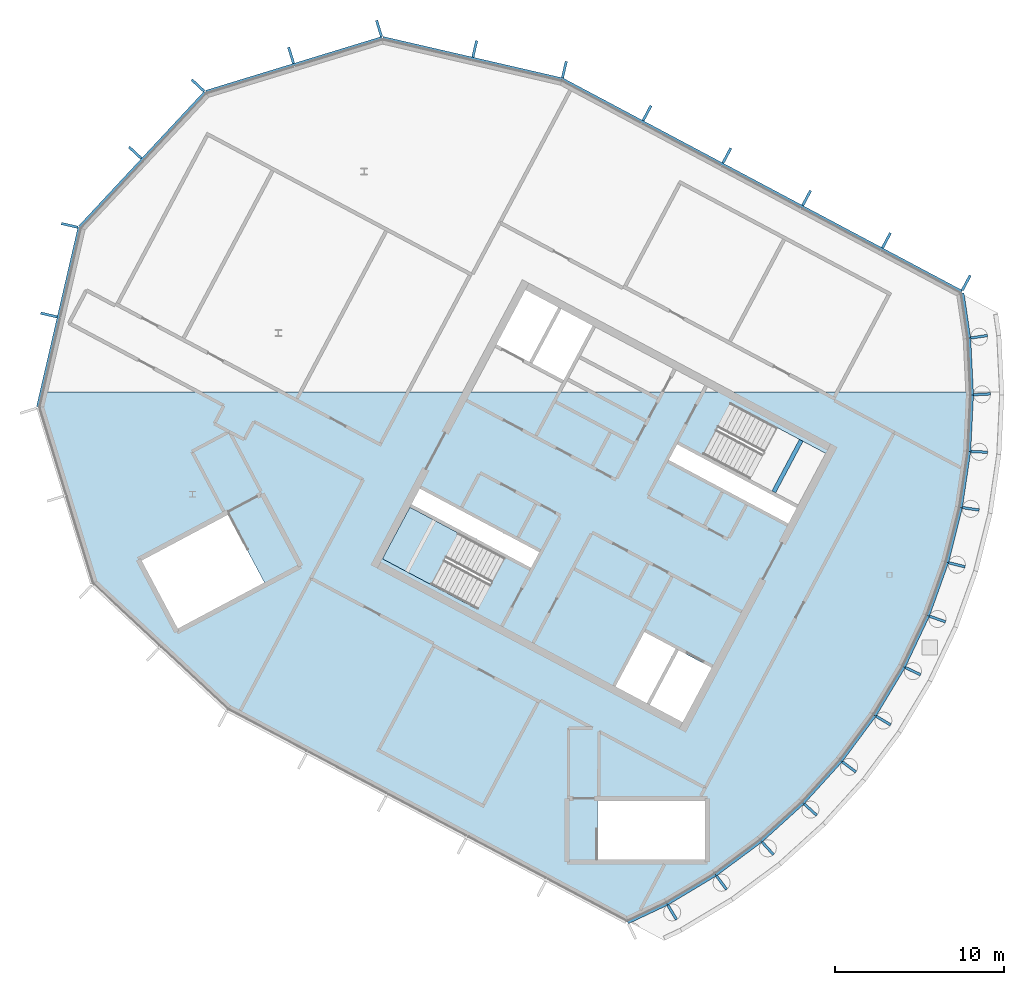
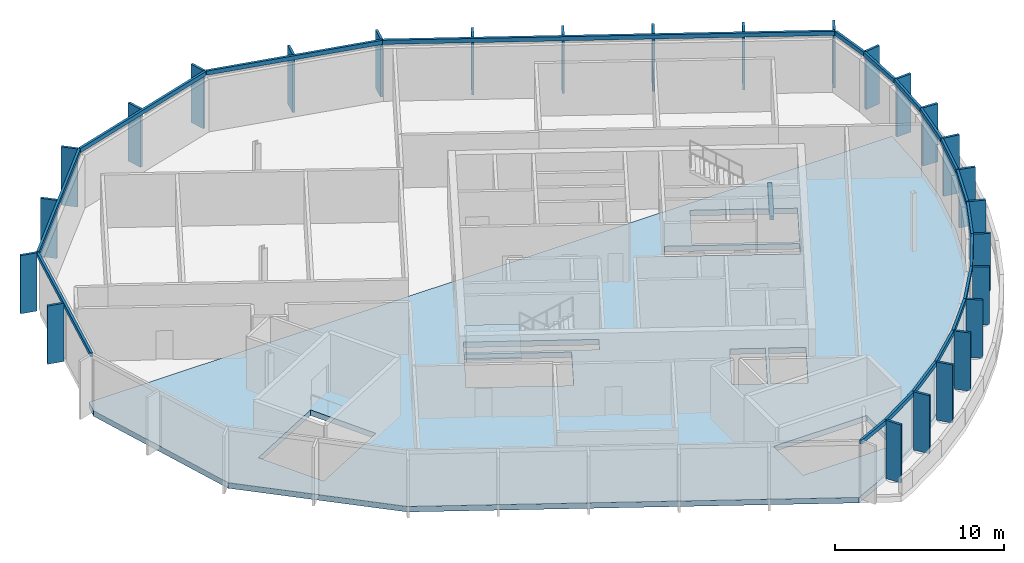
# One storey, part 4 of 13: 45 members, 2 slabs, 1 beam, 20 elements without a shape of their own.
"""IFC4 building model written with IfcOpenShell, lengths in metres."""

from ifc_helpers import new_model, si_unit, direction, frame, origin, origin_2d, place, context, subcontext, project, spatial, polyline, rectangle, outline, extrude, material, layer, layer_set, material_profile, profile_set, type_object, element, aggregate, save


model = new_model("IFC4")

# Units and contexts
model_context = context("Model", 3, precision=1e-05, world=origin(), true_north=direction((0.0, 1.0)))
body_context = subcontext(model_context, "Body", "Model", "MODEL_VIEW")
ifc_project = project(units=[si_unit("LENGTHUNIT", "METRE"), si_unit("AREAUNIT", "SQUARE_METRE"), si_unit("VOLUMEUNIT", "CUBIC_METRE"), si_unit("PLANEANGLEUNIT", "RADIAN"), si_unit("MASSUNIT", "GRAM", prefix="KILO")], contexts=[model_context])

# Site, building, storey
site_placement = place(None, origin())
site = spatial("IfcSite", under=ifc_project, at=site_placement, CompositionType="ELEMENT")
building_placement = place(site_placement, origin())
building = spatial("IfcBuilding", under=site, at=building_placement, Name="Cormorant Relay Tower", CompositionType="ELEMENT")
storey_placement = place(building_placement, frame((0.0, 0.0, 353.39990234375)))
storey = spatial("IfcBuildingStorey", under=building, at=storey_placement, Name="C7", CompositionType="ELEMENT", Elevation=353.39990234375)

# Curtain wall, member
ifc_material_1 = material(Name="Aluminium 6063-T6 anodised bronze", Category="aluminium")
ifc_layer_1 = layer(ifc_material_1, 0.199951171875)
ifc_layer_set_1 = layer_set([ifc_layer_1], Name="CW3 crown screen wall")
curtain_wall_type = type_object("IfcCurtainWallType", Name="CW3 crown screen wall", PredefinedType="NOTDEFINED", material=ifc_layer_set_1)
curtain_wall_1_placement = place(storey_placement, origin())
curtain_wall_1 = element("IfcCurtainWall", 1, at=curtain_wall_1_placement, inside=storey, type_object=curtain_wall_type, Name="CW3 curtain wall 3", PredefinedType="NOTDEFINED")
ifc_material_2 = material(Name="Aluminium 6063-T6 anodised bronze", Category="aluminium")
ifc_material_profile_1 = material_profile(ifc_material_2, rectangle(XDim=0.14990234375, YDim=1.0, at=origin_2d()), Name="AL 150x1000")
ifc_profile_set_1 = profile_set([ifc_material_profile_1], Name="Aluminium 6063-T6 anodised bronze")
member_type_1 = type_object("IfcMemberType", Name="CW3 bronze fin mullion 150 x 1000", PredefinedType="MULLION", material=ifc_profile_set_1)
member_1_placement = place(storey_placement, frame((-23.34521484375, -9.45947265625, 0.0), z_axis=(0.0, 0.0, 1.0), x_axis=(0.85772861, 0.514102744193, 0.0)))
member_1 = element("IfcMember", 2, at=member_1_placement, type_object=member_type_1, Name="CW3 fin 3.1", PredefinedType="MULLION", context=body_context, shape_type="SweptSolid", body=[
    extrude(rectangle(XDim=0.14990234375, YDim=1.0, at=origin_2d()), origin(), (0.0, 0.0, 1.0), 4.2001953125),
])

curtain_wall_2_placement = place(storey_placement, origin())
curtain_wall_2 = element("IfcCurtainWall", 3, at=curtain_wall_2_placement, inside=storey, type_object=curtain_wall_type, Name="CW3 curtain wall 4", PredefinedType="NOTDEFINED")
member_2_placement = place(storey_placement, frame((-20.42626953125, -7.7060546875, 0.0), z_axis=(0.0, 0.0, 1.0), x_axis=(0.803207531481, 0.595699304492, 0.0)))
member_2 = element("IfcMember", 4, at=member_2_placement, type_object=member_type_1, Name="CW3 fin 4.1", PredefinedType="MULLION", context=body_context, shape_type="SweptSolid", body=[
    extrude(rectangle(XDim=0.14990234375, YDim=1.0, at=origin_2d()), origin(), (0.0, 0.0, 1.0), 4.2001953125),
])

curtain_wall_3_placement = place(storey_placement, origin())
curtain_wall_3 = element("IfcCurtainWall", 5, at=curtain_wall_3_placement, inside=storey, type_object=curtain_wall_type, Name="CW3 curtain wall 5", PredefinedType="NOTDEFINED")
member_3_placement = place(storey_placement, frame((-17.693115234375, -5.6748046875, 0.0), z_axis=(0.0, 0.0, 1.0), x_axis=(0.740951125355, 0.671558954847, 0.0)))
member_3 = element("IfcMember", 6, at=member_3_placement, type_object=member_type_1, Name="CW3 fin 5.1", PredefinedType="MULLION", context=body_context, shape_type="SweptSolid", body=[
    extrude(rectangle(XDim=0.14990234375, YDim=1.0, at=origin_2d()), origin(), (0.0, 0.0, 1.0), 4.2001953125),
])

curtain_wall_4_placement = place(storey_placement, origin())
curtain_wall_4 = element("IfcCurtainWall", 7, at=curtain_wall_4_placement, inside=storey, type_object=curtain_wall_type, Name="CW3 curtain wall 6", PredefinedType="NOTDEFINED")
member_4_placement = place(storey_placement, frame((-15.17236328125, -3.385498046875, 0.0), z_axis=(0.0, 0.0, 1.0), x_axis=(0.671558954847, 0.740951125355, 0.0)))
member_4 = element("IfcMember", 8, at=member_4_placement, type_object=member_type_1, Name="CW3 fin 6.1", PredefinedType="MULLION", context=body_context, shape_type="SweptSolid", body=[
    extrude(rectangle(XDim=0.14990234375, YDim=1.0, at=origin_2d()), origin(), (0.0, 0.0, 1.0), 4.2001953125),
])

curtain_wall_5_placement = place(storey_placement, origin())
curtain_wall_5 = element("IfcCurtainWall", 9, at=curtain_wall_5_placement, inside=storey, type_object=curtain_wall_type, Name="CW3 curtain wall 7", PredefinedType="NOTDEFINED")
member_5_placement = place(storey_placement, frame((-12.887939453125, -0.860107421875, 0.0), z_axis=(0.0, 0.0, 1.0), x_axis=(0.595699304492, 0.803207531481, 0.0)))
member_5 = element("IfcMember", 10, at=member_5_placement, type_object=member_type_1, Name="CW3 fin 7.1", PredefinedType="MULLION", context=body_context, shape_type="SweptSolid", body=[
    extrude(rectangle(XDim=0.14990234375, YDim=1.0, at=origin_2d()), origin(), (0.0, 0.0, 1.0), 4.2001953125),
])

curtain_wall_6_placement = place(storey_placement, origin())
curtain_wall_6 = element("IfcCurtainWall", 11, at=curtain_wall_6_placement, inside=storey, type_object=curtain_wall_type, Name="CW3 curtain wall 8", PredefinedType="NOTDEFINED")
member_6_placement = place(storey_placement, frame((-10.8623046875, 1.876953125, 0.0), z_axis=(0.0, 0.0, 1.0), x_axis=(0.514102744193, 0.85772861, 0.0)))
member_6 = element("IfcMember", 12, at=member_6_placement, type_object=member_type_1, Name="CW3 fin 8.1", PredefinedType="MULLION", context=body_context, shape_type="SweptSolid", body=[
    extrude(rectangle(XDim=0.14990234375, YDim=1.0, at=origin_2d()), origin(), (0.0, 0.0, 1.0), 4.2001953125),
])

curtain_wall_7_placement = place(storey_placement, origin())
curtain_wall_7 = element("IfcCurtainWall", 13, at=curtain_wall_7_placement, inside=storey, type_object=curtain_wall_type, Name="CW3 curtain wall 9", PredefinedType="NOTDEFINED")
member_7_placement = place(storey_placement, frame((-9.114501953125, 4.79931640625, 0.0), z_axis=(0.0, 0.0, 1.0), x_axis=(0.42755509343, 0.903989293123, 0.0)))
member_7 = element("IfcMember", 14, at=member_7_placement, type_object=member_type_1, Name="CW3 fin 9.1", PredefinedType="MULLION", context=body_context, shape_type="SweptSolid", body=[
    extrude(rectangle(XDim=0.14990234375, YDim=1.0, at=origin_2d()), origin(), (0.0, 0.0, 1.0), 4.2001953125),
])

curtain_wall_8_placement = place(storey_placement, origin())
curtain_wall_8 = element("IfcCurtainWall", 15, at=curtain_wall_8_placement, inside=storey, type_object=curtain_wall_type, Name="CW3 curtain wall 10", PredefinedType="NOTDEFINED")
member_8_placement = place(storey_placement, frame((-7.66162109375, 7.879150390625, 0.0), z_axis=(0.0, 0.0, 1.0), x_axis=(0.336889853392, 0.941544065183, 0.0)))
member_8 = element("IfcMember", 16, at=member_8_placement, type_object=member_type_1, Name="CW3 fin 10.1", PredefinedType="MULLION", context=body_context, shape_type="SweptSolid", body=[
    extrude(rectangle(XDim=0.14990234375, YDim=1.0, at=origin_2d()), origin(), (0.0, 0.0, 1.0), 4.2001953125),
])

curtain_wall_9_placement = place(storey_placement, origin())
curtain_wall_9 = element("IfcCurtainWall", 17, at=curtain_wall_9_placement, inside=storey, type_object=curtain_wall_type, Name="CW3 curtain wall 11", PredefinedType="NOTDEFINED")
member_9_placement = place(storey_placement, frame((-6.517578125, 11.08642578125, 0.0), z_axis=(0.0, 0.0, 1.0), x_axis=(0.242980179903, 0.970031253195, 0.0)))
member_9 = element("IfcMember", 18, at=member_9_placement, type_object=member_type_1, Name="CW3 fin 11.1", PredefinedType="MULLION", context=body_context, shape_type="SweptSolid", body=[
    extrude(rectangle(XDim=0.14990234375, YDim=1.0, at=origin_2d()), origin(), (0.0, 0.0, 1.0), 4.2001953125),
])

curtain_wall_10_placement = place(storey_placement, origin())
curtain_wall_10 = element("IfcCurtainWall", 19, at=curtain_wall_10_placement, inside=storey, type_object=curtain_wall_type, Name="CW3 curtain wall 12", PredefinedType="NOTDEFINED")
member_10_placement = place(storey_placement, frame((-5.693603515625, 14.390380859375, 0.0), z_axis=(0.0, 0.0, 1.0), x_axis=(0.146730474455, 0.989176509965, 0.0)))
member_10 = element("IfcMember", 20, at=member_10_placement, type_object=member_type_1, Name="CW3 fin 12.1", PredefinedType="MULLION", context=body_context, shape_type="SweptSolid", body=[
    extrude(rectangle(XDim=0.14990234375, YDim=1.0, at=origin_2d()), origin(), (0.0, 0.0, 1.0), 4.2001953125),
])

curtain_wall_11_placement = place(storey_placement, origin())
curtain_wall_11 = element("IfcCurtainWall", 21, at=curtain_wall_11_placement, inside=storey, type_object=curtain_wall_type, Name="CW3 curtain wall 13", PredefinedType="NOTDEFINED")
member_11_placement = place(storey_placement, frame((-5.197265625, 17.75927734375, 0.0), z_axis=(0.0, 0.0, 1.0), x_axis=(0.049067674327, 0.998795456205, 0.0)))
member_11 = element("IfcMember", 22, at=member_11_placement, type_object=member_type_1, Name="CW3 fin 13.1", PredefinedType="MULLION", context=body_context, shape_type="SweptSolid", body=[
    extrude(rectangle(XDim=0.14990234375, YDim=1.0, at=origin_2d()), origin(), (0.0, 0.0, 1.0), 4.2001953125),
])

curtain_wall_12_placement = place(storey_placement, origin())
curtain_wall_12 = element("IfcCurtainWall", 23, at=curtain_wall_12_placement, inside=storey, type_object=curtain_wall_type, Name="CW3 curtain wall 14", PredefinedType="NOTDEFINED")
member_12_placement = place(storey_placement, frame((-5.033447265625, 21.16064453125, 0.0), z_axis=(0.0, 0.0, 1.0), x_axis=(-0.049067674327, 0.998795456205, 0.0)))
member_12 = element("IfcMember", 24, at=member_12_placement, type_object=member_type_1, Name="CW3 fin 14.1", PredefinedType="MULLION", context=body_context, shape_type="SweptSolid", body=[
    extrude(rectangle(XDim=0.14990234375, YDim=1.0, at=origin_2d()), origin(), (0.0, 0.0, 1.0), 4.2001953125),
])

curtain_wall_13_placement = place(storey_placement, origin())
curtain_wall_13 = element("IfcCurtainWall", 25, at=curtain_wall_13_placement, inside=storey, type_object=curtain_wall_type, Name="CW3 curtain wall 15", PredefinedType="NOTDEFINED")
member_13_placement = place(storey_placement, frame((-5.203857421875, 24.5615234375, 0.0), z_axis=(0.0, 0.0, 1.0), x_axis=(-0.146730474455, 0.989176509965, 0.0)))
member_13 = element("IfcMember", 26, at=member_13_placement, type_object=member_type_1, Name="CW3 fin 15.1", PredefinedType="MULLION", context=body_context, shape_type="SweptSolid", body=[
    extrude(rectangle(XDim=0.14990234375, YDim=1.0, at=origin_2d()), origin(), (0.0, 0.0, 1.0), 4.2001953125),
])

# Curtain wall, members
curtain_wall_14_placement = place(storey_placement, origin())
curtain_wall_14 = element("IfcCurtainWall", 27, at=curtain_wall_14_placement, inside=storey, type_object=curtain_wall_type, Name="CW3 curtain wall 16", PredefinedType="NOTDEFINED")
member_14_placement = place(storey_placement, frame((-5.9638671875, 27.747802734375, 0.0), z_axis=(0.0, 0.0, 1.0), x_axis=(-0.882947592859, 0.469471562786, 0.0)))
member_14 = element("IfcMember", 28, at=member_14_placement, type_object=member_type_1, Name="CW3 fin 16.1", PredefinedType="MULLION", context=body_context, shape_type="SweptSolid", body=[
    extrude(rectangle(XDim=0.14990234375, YDim=1.0, at=origin_2d()), origin(), (0.0, 0.0, 1.0), 4.2001953125),
])
member_15_placement = place(storey_placement, frame((-10.68017578125, 30.255615234375, 0.0), z_axis=(0.0, 0.0, 1.0), x_axis=(-0.882947592859, 0.469471562786, 0.0)))
member_15 = element("IfcMember", 29, at=member_15_placement, type_object=member_type_1, Name="CW3 fin 16.2", PredefinedType="MULLION", context=body_context, shape_type="SweptSolid", body=[
    extrude(rectangle(XDim=0.14990234375, YDim=1.0, at=origin_2d()), origin(), (0.0, 0.0, 1.0), 4.2001953125),
])
member_16_placement = place(storey_placement, frame((-15.396484375, 32.76318359375, 0.0), z_axis=(0.0, 0.0, 1.0), x_axis=(-0.882947592859, 0.469471562786, 0.0)))
member_16 = element("IfcMember", 30, at=member_16_placement, type_object=member_type_1, Name="CW3 fin 16.3", PredefinedType="MULLION", context=body_context, shape_type="SweptSolid", body=[
    extrude(rectangle(XDim=0.14990234375, YDim=1.0, at=origin_2d()), origin(), (0.0, 0.0, 1.0), 4.2001953125),
])
member_17_placement = place(storey_placement, frame((-20.112548828125, 35.270751953125, 0.0), z_axis=(0.0, 0.0, 1.0), x_axis=(-0.882947592859, 0.469471562786, 0.0)))
member_17 = element("IfcMember", 31, at=member_17_placement, type_object=member_type_1, Name="CW3 fin 16.4", PredefinedType="MULLION", context=body_context, shape_type="SweptSolid", body=[
    extrude(rectangle(XDim=0.14990234375, YDim=1.0, at=origin_2d()), origin(), (0.0, 0.0, 1.0), 4.2001953125),
])
member_18_placement = place(storey_placement, frame((-24.828857421875, 37.778564453125, 0.0), z_axis=(0.0, 0.0, 1.0), x_axis=(-0.882947592859, 0.469471562786, 0.0)))
member_18 = element("IfcMember", 32, at=member_18_placement, type_object=member_type_1, Name="CW3 fin 16.5", PredefinedType="MULLION", context=body_context, shape_type="SweptSolid", body=[
    extrude(rectangle(XDim=0.14990234375, YDim=1.0, at=origin_2d()), origin(), (0.0, 0.0, 1.0), 4.2001953125),
])

curtain_wall_15_placement = place(storey_placement, origin())
curtain_wall_15 = element("IfcCurtainWall", 33, at=curtain_wall_15_placement, inside=storey, type_object=curtain_wall_type, Name="CW3 curtain wall 17", PredefinedType="NOTDEFINED")
member_19_placement = place(storey_placement, frame((-29.71630859375, 40.35009765625, 0.0), z_axis=(0.0, 0.0, 1.0), x_axis=(-0.974370064785, 0.224951054344, 0.0)))
member_19 = element("IfcMember", 34, at=member_19_placement, type_object=member_type_1, Name="CW3 fin 17.1", PredefinedType="MULLION", context=body_context, shape_type="SweptSolid", body=[
    extrude(rectangle(XDim=0.14990234375, YDim=1.0, at=origin_2d()), origin(), (0.0, 0.0, 1.0), 4.2001953125),
])
member_20_placement = place(storey_placement, frame((-35.01220703125, 41.57275390625, 0.0), z_axis=(0.0, 0.0, 1.0), x_axis=(-0.974370064785, 0.224951054344, 0.0)))
member_20 = element("IfcMember", 35, at=member_20_placement, type_object=member_type_1, Name="CW3 fin 17.2", PredefinedType="MULLION", context=body_context, shape_type="SweptSolid", body=[
    extrude(rectangle(XDim=0.14990234375, YDim=1.0, at=origin_2d()), origin(), (0.0, 0.0, 1.0), 4.2001953125),
])

curtain_wall_16_placement = place(storey_placement, origin())
curtain_wall_16 = element("IfcCurtainWall", 36, at=curtain_wall_16_placement, inside=storey, type_object=curtain_wall_type, Name="CW3 curtain wall 18", PredefinedType="NOTDEFINED")
member_21_placement = place(storey_placement, frame((-40.670166015625, 42.78271484375, 0.0), z_axis=(0.0, 0.0, 1.0), x_axis=(-0.956304755963, -0.292371704723, 0.0)))
member_21 = element("IfcMember", 37, at=member_21_placement, type_object=member_type_1, Name="CW3 fin 18.1", PredefinedType="MULLION", context=body_context, shape_type="SweptSolid", body=[
    extrude(rectangle(XDim=0.14990234375, YDim=1.0, at=origin_2d()), origin(), (0.0, 0.0, 1.0), 4.2001953125),
])
member_22_placement = place(storey_placement, frame((-45.867919921875, 41.193603515625, 0.0), z_axis=(0.0, 0.0, 1.0), x_axis=(-0.956304755963, -0.292371704723, 0.0)))
member_22 = element("IfcMember", 38, at=member_22_placement, type_object=member_type_1, Name="CW3 fin 18.2", PredefinedType="MULLION", context=body_context, shape_type="SweptSolid", body=[
    extrude(rectangle(XDim=0.14990234375, YDim=1.0, at=origin_2d()), origin(), (0.0, 0.0, 1.0), 4.2001953125),
])

curtain_wall_17_placement = place(storey_placement, origin())
curtain_wall_17 = element("IfcCurtainWall", 39, at=curtain_wall_17_placement, inside=storey, type_object=curtain_wall_type, Name="CW3 curtain wall 19", PredefinedType="NOTDEFINED")
member_23_placement = place(storey_placement, frame((-51.372802734375, 39.41259765625, 0.0), z_axis=(0.0, 0.0, 1.0), x_axis=(-0.681998360062, -0.731353701619, 0.0)))
member_23 = element("IfcMember", 40, at=member_23_placement, type_object=member_type_1, Name="CW3 fin 19.1", PredefinedType="MULLION", context=body_context, shape_type="SweptSolid", body=[
    extrude(rectangle(XDim=0.14990234375, YDim=1.0, at=origin_2d()), origin(), (0.0, 0.0, 1.0), 4.2001953125),
])
member_24_placement = place(storey_placement, frame((-55.07958984375, 35.4375, 0.0), z_axis=(0.0, 0.0, 1.0), x_axis=(-0.681998360062, -0.731353701619, 0.0)))
member_24 = element("IfcMember", 41, at=member_24_placement, type_object=member_type_1, Name="CW3 fin 19.2", PredefinedType="MULLION", context=body_context, shape_type="SweptSolid", body=[
    extrude(rectangle(XDim=0.14990234375, YDim=1.0, at=origin_2d()), origin(), (0.0, 0.0, 1.0), 4.2001953125),
])

curtain_wall_18_placement = place(storey_placement, origin())
curtain_wall_18 = element("IfcCurtainWall", 42, at=curtain_wall_18_placement, inside=storey, type_object=curtain_wall_type, Name="CW3 curtain wall 20", PredefinedType="NOTDEFINED")
member_25_placement = place(storey_placement, frame((-58.95654296875, 31.142578125, 0.0), z_axis=(0.0, 0.0, 1.0), x_axis=(-0.224951054344, -0.974370064785, 0.0)))
member_25 = element("IfcMember", 43, at=member_25_placement, type_object=member_type_1, Name="CW3 fin 20.1", PredefinedType="MULLION", context=body_context, shape_type="SweptSolid", body=[
    extrude(rectangle(XDim=0.14990234375, YDim=1.0, at=origin_2d()), origin(), (0.0, 0.0, 1.0), 4.2001953125),
])
member_26_placement = place(storey_placement, frame((-60.17919921875, 25.8466796875, 0.0), z_axis=(0.0, 0.0, 1.0), x_axis=(-0.224951054344, -0.974370064785, 0.0)))
member_26 = element("IfcMember", 44, at=member_26_placement, type_object=member_type_1, Name="CW3 fin 20.2", PredefinedType="MULLION", context=body_context, shape_type="SweptSolid", body=[
    extrude(rectangle(XDim=0.14990234375, YDim=1.0, at=origin_2d()), origin(), (0.0, 0.0, 1.0), 4.2001953125),
])

# Curtain wall, member
curtain_wall_19_placement = place(storey_placement, origin())
curtain_wall_19 = element("IfcCurtainWall", 45, at=curtain_wall_19_placement, inside=storey, type_object=curtain_wall_type, Name="CW3 curtain wall 2", PredefinedType="NOTDEFINED")
ifc_material_3 = material(Name="Aluminium 6063-T6 anodised bronze", Category="aluminium")
ifc_material_profile_2 = material_profile(ifc_material_3, rectangle(XDim=0.159912109375, YDim=0.300048828125, at=origin_2d()), Name="AL 160x300")
ifc_profile_set_2 = profile_set([ifc_material_profile_2], Name="Aluminium 6063-T6 anodised bronze")
member_type_2 = type_object("IfcMemberType", Name="CW3 bronze transom 160 x 300", PredefinedType="USERDEFINED", material=ifc_profile_set_2)
member_27_placement = place(storey_placement, frame((-25.963623046875, -10.06005859375, 4.050048828125), z_axis=(0.903978943094, 0.427576976043, 0.0), x_axis=(-0.427576976043, 0.903978943094, 0.0)))
member_27 = element("IfcMember", 46, at=member_27_placement, type_object=member_type_2, Name="CW3 transom 2", ObjectType="TRANSOM", PredefinedType="USERDEFINED", context=body_context, shape_type="SweptSolid", body=[
    extrude(rectangle(XDim=0.159912109375, YDim=0.300048828125, at=origin_2d()), origin(), (0.0, 0.0, 1.0), 2.55517578125),
])
aggregate(curtain_wall_19, [member_27])

# Member
member_28_placement = place(storey_placement, frame((-23.6435546875, -8.9619140625, 4.050048828125), z_axis=(0.857744605899, 0.514076055707, 0.0), x_axis=(-0.514076055707, 0.857744605899, 0.0)))
member_28 = element("IfcMember", 47, at=member_28_placement, type_object=member_type_2, Name="CW3 transom 3", ObjectType="TRANSOM", PredefinedType="USERDEFINED", context=body_context, shape_type="SweptSolid", body=[
    extrude(rectangle(XDim=0.159912109375, YDim=0.300048828125, at=origin_2d()), origin(), (0.0, 0.0, 1.0), 3.336669921875),
])

aggregate(curtain_wall_1, [member_1, member_28])

member_29_placement = place(storey_placement, frame((-20.771728515625, -7.239990234375, 4.050048828125), z_axis=(0.803210964142, 0.595694676057, 0.0), x_axis=(-0.595694676057, 0.803210964142, 0.0)))
member_29 = element("IfcMember", 48, at=member_29_placement, type_object=member_type_2, Name="CW3 transom 4", ObjectType="TRANSOM", PredefinedType="USERDEFINED", context=body_context, shape_type="SweptSolid", body=[
    extrude(rectangle(XDim=0.159912109375, YDim=0.300048828125, at=origin_2d()), origin(), (0.0, 0.0, 1.0), 3.33642578125),
])

aggregate(curtain_wall_2, [member_2, member_29])

member_30_placement = place(storey_placement, frame((-18.082763671875, -5.2451171875, 4.050048828125), z_axis=(0.740972160731, 0.671535745155, 0.0), x_axis=(-0.671535745155, 0.740972160731, 0.0)))
member_30 = element("IfcMember", 49, at=member_30_placement, type_object=member_type_2, Name="CW3 transom 5", ObjectType="TRANSOM", PredefinedType="USERDEFINED", context=body_context, shape_type="SweptSolid", body=[
    extrude(rectangle(XDim=0.159912109375, YDim=0.300048828125, at=origin_2d()), origin(), (0.0, 0.0, 1.0), 3.336669921875),
])

aggregate(curtain_wall_3, [member_3, member_30])

member_31_placement = place(storey_placement, frame((-15.60205078125, -2.99609375, 4.050048828125), z_axis=(0.671535745155, 0.740972160731, 0.0), x_axis=(-0.740972160731, 0.671535745155, 0.0)))
member_31 = element("IfcMember", 50, at=member_31_placement, type_object=member_type_2, Name="CW3 transom 6", ObjectType="TRANSOM", PredefinedType="USERDEFINED", context=body_context, shape_type="SweptSolid", body=[
    extrude(rectangle(XDim=0.159912109375, YDim=0.300048828125, at=origin_2d()), origin(), (0.0, 0.0, 1.0), 3.336669921875),
])

aggregate(curtain_wall_4, [member_4, member_31])

member_32_placement = place(storey_placement, frame((-13.35400390625, -0.5146484375, 4.050048828125), z_axis=(0.595741879842, 0.8031759537, 0.0), x_axis=(-0.8031759537, 0.595741879842, 0.0)))
member_32 = element("IfcMember", 51, at=member_32_placement, type_object=member_type_2, Name="CW3 transom 7", ObjectType="TRANSOM", PredefinedType="USERDEFINED", context=body_context, shape_type="SweptSolid", body=[
    extrude(rectangle(XDim=0.159912109375, YDim=0.300048828125, at=origin_2d()), origin(), (0.0, 0.0, 1.0), 3.336669921875),
])

aggregate(curtain_wall_5, [member_5, member_32])

member_33_placement = place(storey_placement, frame((-11.359619140625, 2.175048828125, 4.050048828125), z_axis=(0.514076055707, 0.857744605899, 0.0), x_axis=(-0.857744605899, 0.514076055707, 0.0)))
member_33 = element("IfcMember", 52, at=member_33_placement, type_object=member_type_2, Name="CW3 transom 8", ObjectType="TRANSOM", PredefinedType="USERDEFINED", context=body_context, shape_type="SweptSolid", body=[
    extrude(rectangle(XDim=0.159912109375, YDim=0.300048828125, at=origin_2d()), origin(), (0.0, 0.0, 1.0), 3.336669921875),
])

aggregate(curtain_wall_6, [member_6, member_33])

member_34_placement = place(storey_placement, frame((-9.638916015625, 5.04736328125, 4.050048828125), z_axis=(0.42752640395, 0.90400286168, 0.0), x_axis=(-0.90400286168, 0.42752640395, 0.0)))
member_34 = element("IfcMember", 53, at=member_34_placement, type_object=member_type_2, Name="CW3 transom 9", ObjectType="TRANSOM", PredefinedType="USERDEFINED", context=body_context, shape_type="SweptSolid", body=[
    extrude(rectangle(XDim=0.159912109375, YDim=0.300048828125, at=origin_2d()), origin(), (0.0, 0.0, 1.0), 3.336669921875),
])

aggregate(curtain_wall_7, [member_7, member_34])

member_35_placement = place(storey_placement, frame((-8.207763671875, 8.07470703125, 4.050048828125), z_axis=(0.336897234532, 0.941541424136, 0.0), x_axis=(-0.941541424136, 0.336897234532, 0.0)))
member_35 = element("IfcMember", 54, at=member_35_placement, type_object=member_type_2, Name="CW3 transom 10", ObjectType="TRANSOM", PredefinedType="USERDEFINED", context=body_context, shape_type="SweptSolid", body=[
    extrude(rectangle(XDim=0.159912109375, YDim=0.300048828125, at=origin_2d()), origin(), (0.0, 0.0, 1.0), 3.33642578125),
])

aggregate(curtain_wall_8, [member_8, member_35])

member_36_placement = place(storey_placement, frame((-7.080322265625, 11.227294921875, 4.050048828125), z_axis=(0.242983200988, 0.970030496447, 0.0), x_axis=(-0.970030496447, 0.242983200988, 0.0)))
member_36 = element("IfcMember", 55, at=member_36_placement, type_object=member_type_2, Name="CW3 transom 11", ObjectType="TRANSOM", PredefinedType="USERDEFINED", context=body_context, shape_type="SweptSolid", body=[
    extrude(rectangle(XDim=0.159912109375, YDim=0.300048828125, at=origin_2d()), origin(), (0.0, 0.0, 1.0), 3.3369140625),
])

aggregate(curtain_wall_9, [member_9, member_36])

member_37_placement = place(storey_placement, frame((-6.26708984375, 14.4755859375, 4.050048828125), z_axis=(0.14671573357, 0.989178696456, 0.0), x_axis=(-0.989178696456, 0.14671573357, 0.0)))
member_37 = element("IfcMember", 56, at=member_37_placement, type_object=member_type_2, Name="CW3 transom 12", ObjectType="TRANSOM", PredefinedType="USERDEFINED", context=body_context, shape_type="SweptSolid", body=[
    extrude(rectangle(XDim=0.159912109375, YDim=0.300048828125, at=origin_2d()), origin(), (0.0, 0.0, 1.0), 3.33642578125),
])

aggregate(curtain_wall_10, [member_10, member_37])

member_38_placement = place(storey_placement, frame((-5.776611328125, 17.78759765625, 4.050048828125), z_axis=(0.049094634982, 0.998794131348, 0.0), x_axis=(-0.998794131348, 0.049094634982, 0.0)))
member_38 = element("IfcMember", 57, at=member_38_placement, type_object=member_type_2, Name="CW3 transom 13", ObjectType="TRANSOM", PredefinedType="USERDEFINED", context=body_context, shape_type="SweptSolid", body=[
    extrude(rectangle(XDim=0.159912109375, YDim=0.300048828125, at=origin_2d()), origin(), (0.0, 0.0, 1.0), 3.336669921875),
])

aggregate(curtain_wall_11, [member_11, member_38])

member_39_placement = place(storey_placement, frame((-5.61279296875, 21.132080078125, 4.050048828125), z_axis=(-0.049098222988, 0.998793954977, 0.0), x_axis=(-0.998793954977, -0.049098222988, 0.0)))
member_39 = element("IfcMember", 58, at=member_39_placement, type_object=member_type_2, Name="CW3 transom 14", ObjectType="TRANSOM", PredefinedType="USERDEFINED", context=body_context, shape_type="SweptSolid", body=[
    extrude(rectangle(XDim=0.159912109375, YDim=0.300048828125, at=origin_2d()), origin(), (0.0, 0.0, 1.0), 3.33642578125),
])

aggregate(curtain_wall_12, [member_12, member_39])

member_40_placement = place(storey_placement, frame((-5.777587890625, 24.476318359375, 4.050048828125), z_axis=(-0.1467354249, 0.989175775623, 0.0), x_axis=(-0.989175775623, -0.1467354249, 0.0)))
member_40 = element("IfcMember", 59, at=member_40_placement, type_object=member_type_2, Name="CW3 transom 15", ObjectType="TRANSOM", PredefinedType="USERDEFINED", context=body_context, shape_type="SweptSolid", body=[
    extrude(rectangle(XDim=0.159912109375, YDim=0.300048828125, at=origin_2d()), origin(), (0.0, 0.0, 1.0), 2.700439453125),
])

aggregate(curtain_wall_13, [member_13, member_40])

member_41_placement = place(storey_placement, frame((-6.236083984375, 27.235595703125, 4.050048828125), z_axis=(-0.882944873299, 0.469476677498, 0.0), x_axis=(-0.469476677498, -0.882944873299, 0.0)))
member_41 = element("IfcMember", 60, at=member_41_placement, type_object=member_type_2, Name="CW3 transom 16", ObjectType="TRANSOM", PredefinedType="USERDEFINED", context=body_context, shape_type="SweptSolid", body=[
    extrude(rectangle(XDim=0.159912109375, YDim=0.300048828125, at=origin_2d()), origin(), (0.0, 0.0, 1.0), 26.70751953125),
])

aggregate(curtain_wall_14, [member_14, member_15, member_16, member_17, member_18, member_41])

member_42_placement = place(storey_placement, frame((-29.8466796875, 39.784912109375, 4.050048828125), z_axis=(-0.974365070969, 0.224972683844, 0.0), x_axis=(-0.224972683844, -0.974365070969, 0.0)))
member_42 = element("IfcMember", 61, at=member_42_placement, type_object=member_type_2, Name="CW3 transom 17", ObjectType="TRANSOM", PredefinedType="USERDEFINED", context=body_context, shape_type="SweptSolid", body=[
    extrude(rectangle(XDim=0.159912109375, YDim=0.300048828125, at=origin_2d()), origin(), (0.0, 0.0, 1.0), 10.870361328125),
])

aggregate(curtain_wall_15, [member_19, member_20, member_42])

member_43_placement = place(storey_placement, frame((-40.50048828125, 42.228271484375, 4.050048828125), z_axis=(-0.956304833932, -0.292371449698, 0.0), x_axis=(0.292371449698, -0.956304833932, 0.0)))
member_43 = element("IfcMember", 62, at=member_43_placement, type_object=member_type_2, Name="CW3 transom 18", ObjectType="TRANSOM", PredefinedType="USERDEFINED", context=body_context, shape_type="SweptSolid", body=[
    extrude(rectangle(XDim=0.159912109375, YDim=0.300048828125, at=origin_2d()), origin(), (0.0, 0.0, 1.0), 10.87060546875),
])

aggregate(curtain_wall_16, [member_21, member_22, member_43])

member_44_placement = place(storey_placement, frame((-50.94873046875, 39.01708984375, 4.050048828125), z_axis=(-0.681993299437, -0.731358420696, 0.0), x_axis=(0.731358420696, -0.681993299437, 0.0)))
member_44 = element("IfcMember", 63, at=member_44_placement, type_object=member_type_2, Name="CW3 transom 19", ObjectType="TRANSOM", PredefinedType="USERDEFINED", context=body_context, shape_type="SweptSolid", body=[
    extrude(rectangle(XDim=0.159912109375, YDim=0.300048828125, at=origin_2d()), origin(), (0.0, 0.0, 1.0), 10.870361328125),
])

aggregate(curtain_wall_17, [member_23, member_24, member_44])

member_45_placement = place(storey_placement, frame((-58.3916015625, 31.01220703125, 4.050048828125), z_axis=(-0.22495136131, -0.974369993916, 0.0), x_axis=(0.974369993916, -0.22495136131, 0.0)))
member_45 = element("IfcMember", 64, at=member_45_placement, type_object=member_type_2, Name="CW3 transom 20", ObjectType="TRANSOM", PredefinedType="USERDEFINED", context=body_context, shape_type="SweptSolid", body=[
    extrude(rectangle(XDim=0.159912109375, YDim=0.300048828125, at=origin_2d()), origin(), (0.0, 0.0, 1.0), 10.870361328125),
])

aggregate(curtain_wall_18, [member_25, member_26, member_45])

# Beam
ifc_material_4 = material(Name="Concrete 50 MPa", Category="concrete")
ifc_material_profile_3 = material_profile(ifc_material_4, rectangle(XDim=0.25, YDim=0.300048828125, at=origin_2d()), Name="RC 250x300")
ifc_profile_set_3 = profile_set([ifc_material_profile_3], Name="Concrete 50 MPa")
beam_type = type_object("IfcBeamType", Name="Stair landing ledge beam 250x300", PredefinedType="BEAM", material=ifc_profile_set_3)
beam_placement = place(storey_placement, frame((-17.338623046875, 15.3916015625, 1.75), z_axis=(0.469463917486, 0.882951657895, 0.0), x_axis=(-0.882951657895, 0.469463917486, 0.0)))
element("IfcBeam", 65, at=beam_placement, inside=storey, type_object=beam_type, Name="A1 landing ledge beam", PredefinedType="BEAM", context=body_context, shape_type="SweptSolid", body=[
    extrude(rectangle(XDim=0.25, YDim=0.300048828125, at=origin_2d()), origin(), (0.0, 0.0, 1.0), 3.449951171875),
])

# Slab
ifc_material_5 = material(Name="Concrete 40 MPa", Category="concrete")
ifc_layer_2 = layer(ifc_material_5, 0.400146484375)
ifc_layer_set_2 = layer_set([ifc_layer_2], Name="Crown floor slab 400")
slab_type_1 = type_object("IfcSlabType", Name="Crown floor slab 400", PredefinedType="FLOOR", material=ifc_layer_set_2)
slab_1_placement = place(storey_placement, frame((0.0, 0.0, -0.400146484375)))
element("IfcSlab", 66, at=slab_1_placement, inside=storey, type_object=slab_type_1, Name="Crown floor C7", PredefinedType="FLOOR", context=body_context, shape_type="SweptSolid", body=[
    extrude(outline(polyline([(-26.014892578125, -9.95166015625), (-23.705078125, -8.859130859375), (-20.84326171875, -7.143798828125), (-18.163330078125, -5.156005859375), (-15.69091796875, -2.915283203125), (-13.4501953125, -0.443115234375), (-11.462646484375, 2.23681640625), (-9.747314453125, 5.0986328125), (-8.32080078125, 8.114990234375), (-7.19677734375, 11.256591796875), (-6.385986328125, 14.4931640625), (-5.896484375, 17.793701171875), (-5.732666015625, 21.126220703125), (-5.7412109375, 21.300048828125), (-60.510498046875, 21.300048828125), (-60.7197265625, 20.393310546875), (-57.541748046875, 9.997802734375), (-49.591552734375, 2.584228515625), (-26.014892578125, -9.95166015625)]), holes=[polyline([(-21.39990234375, -2.875), (-27.75, -2.875), (-27.75, -6.324951171875), (-21.39990234375, -6.324951171875), (-21.39990234375, -2.875)]), polyline([(-22.95458984375, 6.03271484375), (-24.668212890625, 2.81005859375), (-22.725830078125, 1.777099609375), (-21.01220703125, 5.0), (-23.04296875, 6.07958984375), (-22.95458984375, 6.03271484375)]), polyline([(-24.985595703125, 7.112548828125), (-26.69921875, 3.889892578125), (-24.844970703125, 2.90380859375), (-23.13134765625, 6.126708984375), (-23.04296875, 6.07958984375), (-24.985595703125, 7.112548828125)]), polyline([(-54.69970703125, 11.330810546875), (-52.563720703125, 7.3134765625), (-47.442626953125, 10.036376953125), (-49.57861328125, 14.0537109375), (-54.69970703125, 11.330810546875)]), polyline([(-38.847900390625, 14.483154296875), (-40.46728515625, 11.43701171875), (-34.860595703125, 8.455810546875), (-33.240966796875, 11.502197265625), (-38.847900390625, 14.483154296875)]), polyline([(-31.690185546875, 10.904052734375), (-31.197265625, 11.8310546875), (-38.260986328125, 15.5869140625), (-38.75390625, 14.659912109375), (-31.690185546875, 10.904052734375)]), polyline([(-23.052490234375, 18.203125), (-23.54541015625, 17.276123046875), (-16.481689453125, 13.520263671875), (-15.989013671875, 14.447509765625), (-23.052490234375, 18.203125)]), polyline([(-14.275390625, 17.670166015625), (-19.882080078125, 20.6513671875), (-21.501708984375, 17.605224609375), (-15.89501953125, 14.6240234375), (-14.275390625, 17.670166015625)])]), origin(), (0.0, 0.0, 1.0), 0.400146484375),
])

# Stair, slab
ifc_material_6 = material(Name="Concrete 40 MPa", Category="concrete")
stair_type = type_object("IfcStairType", Name="Exit stair 1500", PredefinedType="HALF_TURN_STAIR", material=ifc_material_6)
stair_placement = place(storey_placement, origin())
stair = element("IfcStair", 67, at=stair_placement, inside=storey, type_object=stair_type, Name="C7 Stair", PredefinedType="HALF_TURN_STAIR")
ifc_material_7 = material(Name="Concrete 40 MPa", Category="concrete")
ifc_layer_3 = layer(ifc_material_7, 0.199951171875)
ifc_layer_set_3 = layer_set([ifc_layer_3], Name="Exit stair landing 200")
slab_type_2 = type_object("IfcSlabType", Name="Exit stair landing 200", PredefinedType="LANDING", material=ifc_layer_set_3)
slab_2_placement = place(storey_placement, frame((0.0, 0.0, 1.900146484375)))
slab_2 = element("IfcSlab", 68, at=slab_2_placement, type_object=slab_type_2, Name="A2 landing 1", PredefinedType="LANDING", context=body_context, shape_type="SweptSolid", body=[
    extrude(outline(polyline([(-35.96044921875, 12.947998046875), (-38.84765625, 14.483154296875), (-40.467529296875, 11.43701171875), (-37.580322265625, 9.90185546875), (-35.96044921875, 12.947998046875)])), origin(), (0.0, 0.0, 1.0), 0.199951171875),
])
aggregate(stair, [slab_2])

save(model, "model.ifc")
